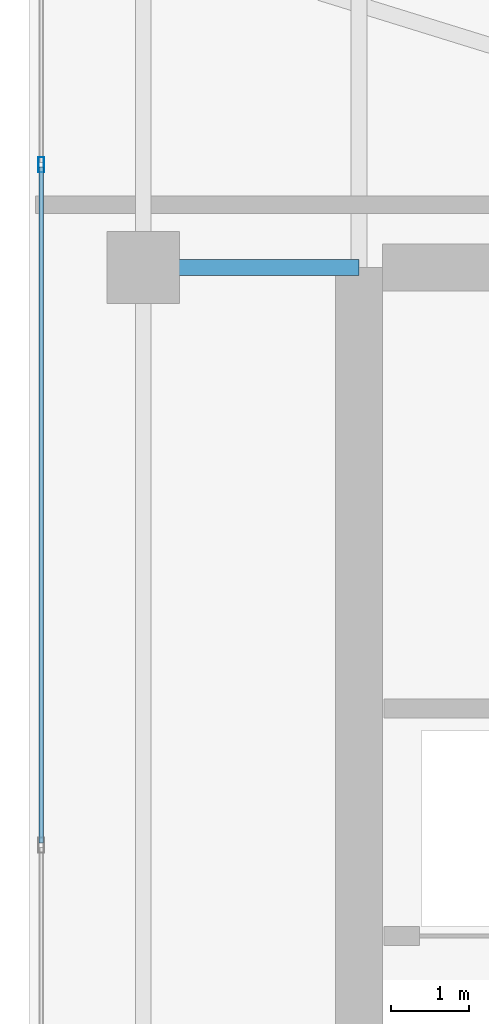
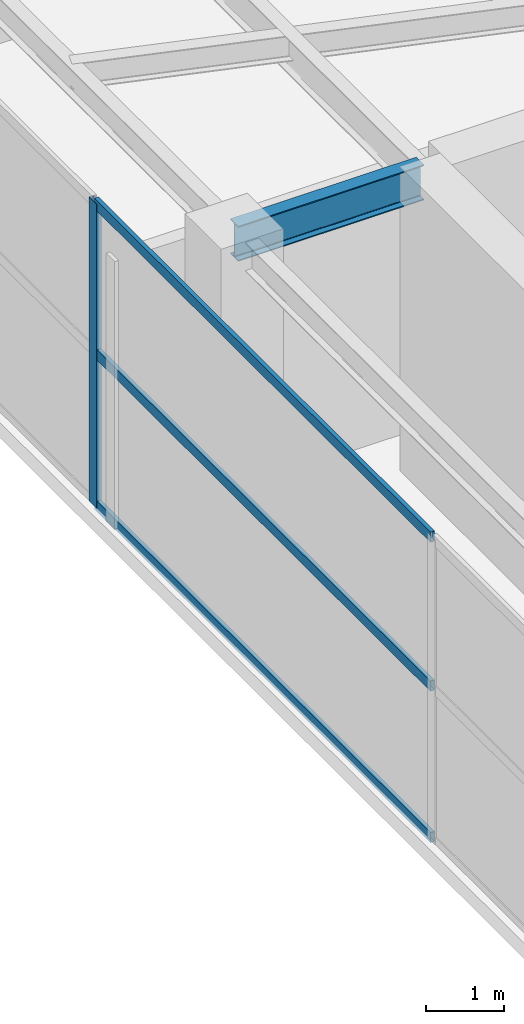
# One storey, part 12 of 20: 4 members, 1 beam, 1 element without a shape of its own.
"""IFC4 building model written with IfcOpenShell, lengths in metres."""

from ifc_helpers import new_model, si_unit, direction, frame, origin, origin_2d, place, context, subcontext, project, spatial, hollow_rectangle, i_section, extrude, material, layer, layer_set, material_profile, profile_set, type_object, element, aggregate, save


model = new_model("IFC4")

# Units and contexts
model_context = context("Model", 3, precision=1e-05, world=origin(), true_north=direction((0.0, 1.0)))
body_context = subcontext(model_context, "Body", "Model", "MODEL_VIEW")
ifc_project = project(units=[si_unit("LENGTHUNIT", "METRE"), si_unit("AREAUNIT", "SQUARE_METRE"), si_unit("VOLUMEUNIT", "CUBIC_METRE"), si_unit("PLANEANGLEUNIT", "RADIAN"), si_unit("MASSUNIT", "GRAM", prefix="KILO")], contexts=[model_context])

# Site, building, storey
site_placement = place(None, origin())
site = spatial("IfcSite", under=ifc_project, at=site_placement, CompositionType="ELEMENT")
building_placement = place(site_placement, origin())
building = spatial("IfcBuilding", under=site, at=building_placement, Name="Calvorn Quay Hotel", CompositionType="ELEMENT")
storey_placement = place(building_placement, frame((0.0, 0.0, 340.5)))
storey = spatial("IfcBuildingStorey", under=building, at=storey_placement, Name="L83", CompositionType="ELEMENT", Elevation=340.5)

# Beam
ifc_material_1 = material(Name="Steel Q355B", Category="steel")
ifc_material_profile_1 = material_profile(ifc_material_1, i_section(OverallWidth=0.199951171875, OverallDepth=0.550048828125, WebThickness=0.010009765625, FlangeThickness=0.01611328125, FilletRadius=0.01806640625, at=origin_2d()), Name="HN550x200x10x16")
ifc_profile_set_1 = profile_set([ifc_material_profile_1], Name="Steel Q355B")
beam_type = type_object("IfcBeamType", Name="BM-GIRD-UPP", PredefinedType="BEAM", material=ifc_profile_set_1)
beam_placement = place(storey_placement, frame((1.449951171875, 38.39990234375, 4.465087890625), z_axis=(1.0, 0.0, 0.0), x_axis=(0.0, 1.0, 0.0)))
element("IfcBeam", 1, at=beam_placement, inside=storey, type_object=beam_type, Name="Beam BG-L83-W3", PredefinedType="BEAM", context=body_context, shape_type="SweptSolid", body=[
    extrude(i_section(OverallWidth=0.199951171875, OverallDepth=0.550048828125, WebThickness=0.010009765625, FlangeThickness=0.01611328125, FilletRadius=0.01806640625, at=origin_2d()), origin(), (0.0, 0.0, 1.0), 2.75),
])

# Curtain wall, members
ifc_material_2 = material(Name="Pale Anodised Aluminium and Laminated Glass", Category="aluminium")
ifc_layer = layer(ifc_material_2, 0.219970703125)
ifc_layer_set = layer_set([ifc_layer], Name="CW-SYS-CRN")
curtain_wall_type = type_object("IfcCurtainWallType", Name="CW-SYS-CRN", PredefinedType="NOTDEFINED", material=ifc_layer_set)
curtain_wall_placement = place(storey_placement, origin())
curtain_wall = element("IfcCurtainWall", 2, at=curtain_wall_placement, inside=storey, type_object=curtain_wall_type, Name="Crown Curtain Wall L83-C3", PredefinedType="NOTDEFINED")
ifc_material_3 = material(Name="Pale Anodised Aluminium 6063-T6", Category="aluminium")
ifc_material_profile_2 = material_profile(ifc_material_3, hollow_rectangle(XDim=0.072021484375, YDim=0.195068359375, WallThickness=0.00390625, at=origin_2d()), Name="ALU-M195x72x4")
ifc_profile_set_2 = profile_set([ifc_material_profile_2], Name="Pale Anodised Aluminium 6063-T6")
member_type_1 = type_object("IfcMemberType", Name="CW-SYS-CRN-MUL", PredefinedType="MULLION", material=ifc_profile_set_2)
member_1_placement = place(storey_placement, frame((0.14990234375, 39.7080078125, 0.0), z_axis=(0.0, 0.0, 1.0), x_axis=(1.0, 0.0, 0.0)))
member_1 = element("IfcMember", 3, at=member_1_placement, type_object=member_type_1, Name="CW-L83-C3 mullion 2", PredefinedType="MULLION", context=body_context, shape_type="SweptSolid", body=[
    extrude(hollow_rectangle(XDim=0.072021484375, YDim=0.195068359375, WallThickness=0.00390625, at=origin_2d()), origin(), (0.0, 0.0, 1.0), 4.760009765625),
])
ifc_material_4 = material(Name="Pale Anodised Aluminium 6063-T6", Category="aluminium")
ifc_material_profile_3 = material_profile(ifc_material_4, hollow_rectangle(XDim=0.06201171875, YDim=0.159912109375, WallThickness=0.00341796875, at=origin_2d()), Name="ALU-T160x62x3.5")
ifc_profile_set_3 = profile_set([ifc_material_profile_3], Name="Pale Anodised Aluminium 6063-T6")
member_type_2 = type_object("IfcMemberType", Name="CW-SYS-CRN-TRN", PredefinedType="USERDEFINED", material=ifc_profile_set_3)
member_2_placement = place(storey_placement, frame((0.14990234375, 39.677978515625, 0.030029296875), z_axis=(0.0, -1.0, 0.0), x_axis=(1.0, 0.0, 0.0)))
member_2 = element("IfcMember", 4, at=member_2_placement, type_object=member_type_2, Name="CW-L83-C3 transom 2.1", ObjectType="TRANSOM", PredefinedType="USERDEFINED", context=body_context, shape_type="SweptSolid", body=[
    extrude(hollow_rectangle(XDim=0.06201171875, YDim=0.159912109375, WallThickness=0.00341796875, at=origin_2d()), origin(), (0.0, 0.0, 1.0), 8.612060546875),
])
member_3_placement = place(storey_placement, frame((0.14990234375, 39.677978515625, 2.39990234375), z_axis=(0.0, -1.0, 0.0), x_axis=(1.0, 0.0, 0.0)))
member_3 = element("IfcMember", 5, at=member_3_placement, type_object=member_type_2, Name="CW-L83-C3 transom 2.2", ObjectType="TRANSOM", PredefinedType="USERDEFINED", context=body_context, shape_type="SweptSolid", body=[
    extrude(hollow_rectangle(XDim=0.06201171875, YDim=0.159912109375, WallThickness=0.00341796875, at=origin_2d()), origin(), (0.0, 0.0, 1.0), 8.612060546875),
])
member_4_placement = place(storey_placement, frame((0.14990234375, 39.677978515625, 4.72998046875), z_axis=(0.0, -1.0, 0.0), x_axis=(1.0, 0.0, 0.0)))
member_4 = element("IfcMember", 6, at=member_4_placement, type_object=member_type_2, Name="CW-L83-C3 transom 2.3", ObjectType="TRANSOM", PredefinedType="USERDEFINED", context=body_context, shape_type="SweptSolid", body=[
    extrude(hollow_rectangle(XDim=0.06201171875, YDim=0.159912109375, WallThickness=0.00341796875, at=origin_2d()), origin(), (0.0, 0.0, 1.0), 8.612060546875),
])
aggregate(curtain_wall, [member_1, member_2, member_3, member_4])

save(model, "model.ifc")
